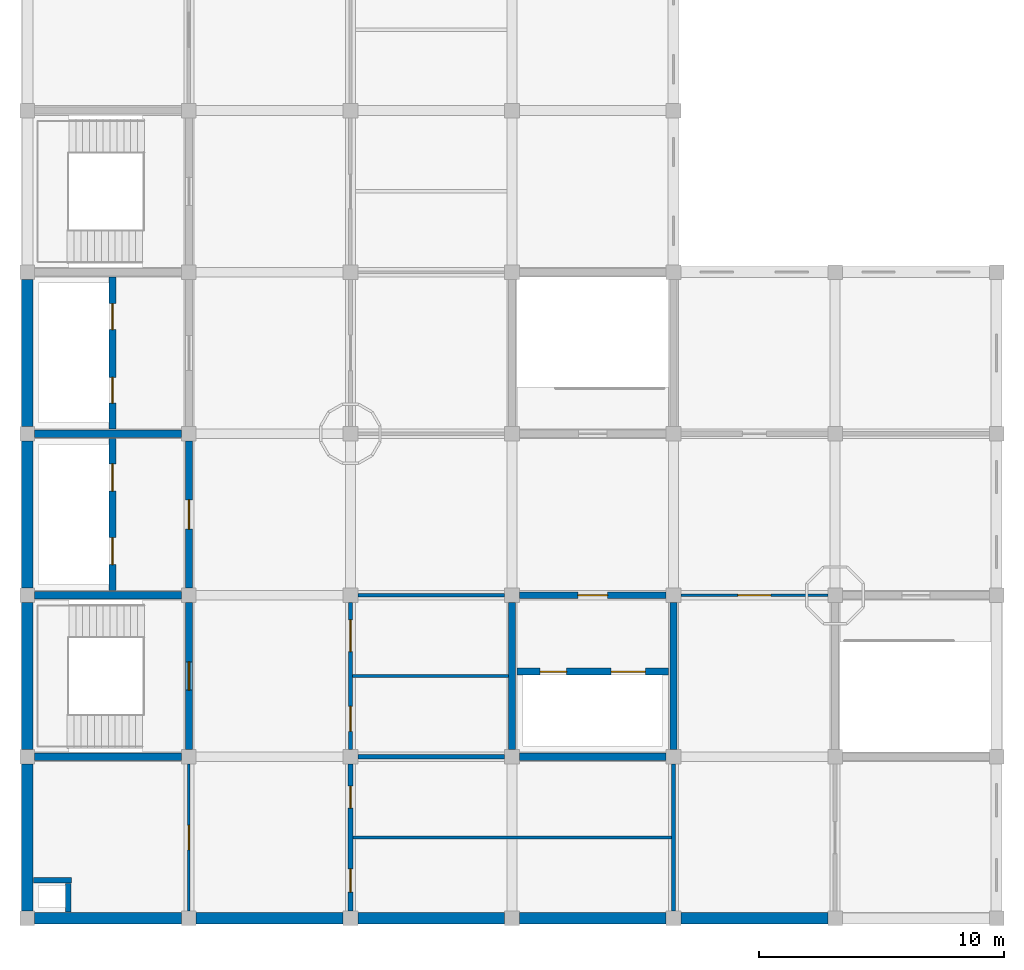
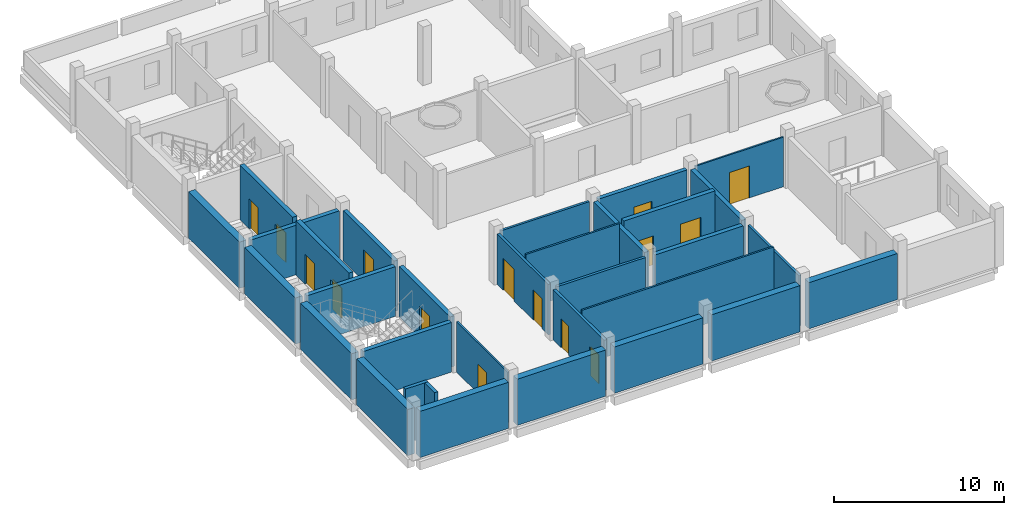
# One storey, part 2 of 6: 32 walls, 15 doors, 15 openings.
"""IFC4 building model written with IfcOpenShell, lengths in metres."""

from ifc_helpers import new_model, si_unit, direction, frame, frame_2d, origin, place, context, subcontext, project, spatial, rectangle, extrude, material, layer, layer_set, type_object, element, fill, save


model = new_model("IFC4")

# Units and contexts
model_context = context("Model", 3, precision=1e-05, world=origin(), true_north=direction((0.0, 1.0)))
body_context = subcontext(model_context, "Body", "Model", "MODEL_VIEW")
ifc_project = project(units=[si_unit("LENGTHUNIT", "METRE"), si_unit("AREAUNIT", "SQUARE_METRE"), si_unit("VOLUMEUNIT", "CUBIC_METRE"), si_unit("PLANEANGLEUNIT", "RADIAN"), si_unit("MASSUNIT", "GRAM", prefix="KILO")], contexts=[model_context])

# Site, building, storey
site_placement = place(None, origin())
site = spatial("IfcSite", under=ifc_project, at=site_placement, CompositionType="ELEMENT")
building_placement = place(site_placement, origin())
building = spatial("IfcBuilding", under=site, at=building_placement, Name="Rusizi Kubbe Research Institute", CompositionType="ELEMENT")
storey_placement = place(building_placement, frame((0.0, 0.0, 69.0)))
storey = spatial("IfcBuildingStorey", under=building, at=storey_placement, Name="L16", CompositionType="ELEMENT", Elevation=69.0)

# Walls
ifc_material_1 = material(Name="Concrete C40/50", Category="concrete")
ifc_layer_1 = layer(ifc_material_1, 0.294921875)
ifc_layer_set_1 = layer_set([ifc_layer_1], Name="Concrete C40/50")
wall_type_1 = type_object("IfcWallType", Name="CRW-03", PredefinedType="SHEAR", material=ifc_layer_set_1)
for number, where, z_axis, x_axis, name in (
    (1, (0.300048828125, 6.60009765625, 0.0), (0.0, 0.0, 1.0), (1.0, 0.0, 0.0), "Stair Core Shear Wall ST1 L16 S"),
    (2, (0.300048828125, 13.199951171875, 0.0), (0.0, 0.0, 1.0), (1.0, 0.0, 0.0), "Stair Core Shear Wall ST1 L16 N"),
):
    element("IfcWall", number, at=place(storey_placement, frame(where, z_axis=z_axis, x_axis=x_axis)), inside=storey, type_object=wall_type_1, Name=name, PredefinedType="SHEAR", context=body_context, shape_type="SweptSolid", body=[
        extrude(rectangle(XDim=6.0, YDim=0.294921875, at=frame_2d((3.0, 0.0))), origin(), (0.0, 0.0, 1.0), 3.56005859375),
    ])

# Wall, opening, door
wall_1_placement = place(storey_placement, frame((6.60009765625, 6.89990234375, 0.0), z_axis=(0.0, 0.0, 1.0), x_axis=(0.0, 1.0, 0.0)))
wall_1 = element("IfcWall", 3, at=wall_1_placement, inside=storey, type_object=wall_type_1, Name="Stair Core Shear Wall ST1 L16 E", PredefinedType="SHEAR", context=body_context, shape_type="SweptSolid", body=[
    extrude(rectangle(XDim=6.0, YDim=0.294921875, at=frame_2d((3.0, 0.0))), origin(), (0.0, 0.0, 1.0), 3.6201171875),
])
opening_1_placement = place(wall_1_placement, frame((2.425048828125, 0.0, 0.0)))
opening_1 = element("IfcOpeningElement", 4, at=opening_1_placement, cuts=wall_1, Name="Opening D-02", PredefinedType="OPENING", context=body_context, shape_type="SweptSolid", body=[
    extrude(rectangle(XDim=1.14990234375, YDim=2.199951171875, at=frame_2d((0.574951171875, 1.10009765625))), frame((0.0, 0.157470703125, 0.0), z_axis=(0.0, -1.0, 0.0), x_axis=(1.0, 0.0, 0.0)), (0.0, 0.0, 1.0), 0.31494140625),
])
ifc_material_2 = material(Name="Fire-Rated Steel Frame and Acoustic Timber Leaf", Category="wood")
door_type_1 = type_object("IfcDoorType", Name="ID-STAIR-115", OperationType="NOTDEFINED", PredefinedType="DOOR", material=ifc_material_2)
door_1_placement = place(opening_1_placement, origin())
door_1 = element("IfcDoor", 5, at=door_1_placement, inside=storey, type_object=door_type_1, Name="Exit Stair Door ST1 L16", OperationType="SINGLE_SWING_RIGHT", OverallHeight=2.199951171875, OverallWidth=1.14990234375, PredefinedType="DOOR", context=body_context, shape_type="SweptSolid", body=[
    extrude(rectangle(XDim=1.14990234375, YDim=2.199951171875, at=frame_2d((0.574951171875, 1.10009765625))), frame((0.0, 0.02490234375, 0.0), z_axis=(0.0, -1.0, 0.0), x_axis=(1.0, 0.0, 0.0)), (0.0, 0.0, 1.0), 0.050048828125),
])
fill(opening_1, door_1)

# Walls
for number, where, z_axis, x_axis, name in (
    (6, (0.300048828125, 19.800048828125, 0.0), (0.0, 0.0, 1.0), (1.0, 0.0, 0.0), "Lift Core Divider Wall (0,2-3) L16"),
    (7, (20.10009765625, 6.60009765625, 0.0), (0.0, 0.0, 1.0), (1.0, 0.0, 0.0), "Lab Lift Core Wall S (3,1) L16"),
):
    element("IfcWall", number, at=place(storey_placement, frame(where, z_axis=z_axis, x_axis=x_axis)), inside=storey, type_object=wall_type_1, Name=name, PredefinedType="SHEAR", context=body_context, shape_type="SweptSolid", body=[
        extrude(rectangle(XDim=6.0, YDim=0.294921875, at=frame_2d((3.0, 0.0))), origin(), (0.0, 0.0, 1.0), 3.56005859375),
    ])
for number, where, z_axis, x_axis, name in (
    (8, (19.800048828125, 6.89990234375, 0.0), (0.0, 0.0, 1.0), (0.0, 1.0, 0.0), "Lab Lift Core Wall W (3,1) L16"),
    (9, (26.39990234375, 6.89990234375, 0.0), (0.0, 0.0, 1.0), (0.0, 1.0, 0.0), "Lab Lift Core Wall E (3,1) L16"),
):
    element("IfcWall", number, at=place(storey_placement, frame(where, z_axis=z_axis, x_axis=x_axis)), inside=storey, type_object=wall_type_1, Name=name, PredefinedType="SHEAR", context=body_context, shape_type="SweptSolid", body=[
        extrude(rectangle(XDim=6.0, YDim=0.294921875, at=frame_2d((3.0, 0.0))), origin(), (0.0, 0.0, 1.0), 3.6201171875),
    ])

# Wall, openings, doors
wall_2_placement = place(storey_placement, frame((3.47998046875, 13.39990234375, 0.0), z_axis=(0.0, 0.0, 1.0), x_axis=(0.0, 1.0, 0.0)))
wall_2 = element("IfcWall", 10, at=wall_2_placement, inside=storey, type_object=wall_type_1, Name="Firefighting Lift Shaft Front Wall L16", PredefinedType="SHEAR", context=body_context, shape_type="SweptSolid", body=[
    extrude(rectangle(XDim=6.2001953125, YDim=0.294921875, at=frame_2d((3.10009765625, 0.0))), origin(), (0.0, 0.0, 1.0), 3.919921875),
])
opening_2_placement = place(wall_2_placement, frame((1.050048828125, 0.0, 0.0)))
opening_2 = element("IfcOpeningElement", 11, at=opening_2_placement, cuts=wall_2, Name="Opening LD-01", PredefinedType="OPENING", context=body_context, shape_type="SweptSolid", body=[
    extrude(rectangle(XDim=1.10009765625, YDim=2.14990234375, at=frame_2d((0.550048828125, 1.074951171875))), frame((0.0, 0.157470703125, 0.0), z_axis=(0.0, -1.0, 0.0), x_axis=(1.0, 0.0, 0.0)), (0.0, 0.0, 1.0), 0.31494140625),
])
opening_3_placement = place(wall_2_placement, frame((4.050048828125, 0.0, 0.0)))
opening_3 = element("IfcOpeningElement", 12, at=opening_3_placement, cuts=wall_2, Name="Opening LD-02", PredefinedType="OPENING", context=body_context, shape_type="SweptSolid", body=[
    extrude(rectangle(XDim=1.1201171875, YDim=2.14990234375, at=frame_2d((0.56005859375, 1.074951171875))), frame((0.0, 0.157470703125, 0.0), z_axis=(0.0, -1.0, 0.0), x_axis=(1.0, 0.0, 0.0)), (0.0, 0.0, 1.0), 0.31494140625),
])
ifc_material_3 = material(Name="Brushed Stainless Steel Sliding Door", Category="steel")
door_type_2 = type_object("IfcDoorType", Name="LD-01", OperationType="DOUBLE_DOOR_SLIDING", PredefinedType="USERDEFINED", material=ifc_material_3)
door_2_placement = place(opening_2_placement, origin())
door_2 = element("IfcDoor", 13, at=door_2_placement, inside=storey, type_object=door_type_2, Name="Lift Landing Sliding Door FL1 L16", ObjectType="SLIDING DOOR", OperationType="DOUBLE_DOOR_SLIDING", OverallHeight=2.14990234375, OverallWidth=1.10009765625, PredefinedType="USERDEFINED", context=body_context, shape_type="SweptSolid", body=[
    extrude(rectangle(XDim=1.10009765625, YDim=2.14990234375, at=frame_2d((0.550048828125, 1.074951171875))), frame((0.0, 0.02490234375, 0.0), z_axis=(0.0, -1.0, 0.0), x_axis=(1.0, 0.0, 0.0)), (0.0, 0.0, 1.0), 0.050048828125),
])
fill(opening_2, door_2)
ifc_material_4 = material(Name="Brushed Stainless Steel Sliding Door", Category="steel")
door_type_3 = type_object("IfcDoorType", Name="LD-02", OperationType="DOUBLE_DOOR_SLIDING", PredefinedType="USERDEFINED", material=ifc_material_4)
door_3_placement = place(opening_3_placement, origin())
door_3 = element("IfcDoor", 14, at=door_3_placement, inside=storey, type_object=door_type_3, Name="Lift Landing Sliding Door FL2 L16", ObjectType="SLIDING DOOR", OperationType="DOUBLE_DOOR_SLIDING", OverallHeight=2.14990234375, OverallWidth=1.1201171875, PredefinedType="USERDEFINED", context=body_context, shape_type="SweptSolid", body=[
    extrude(rectangle(XDim=1.1201171875, YDim=2.14990234375, at=frame_2d((0.56005859375, 1.074951171875))), frame((0.0, 0.02490234375, 0.0), z_axis=(0.0, -1.0, 0.0), x_axis=(1.0, 0.0, 0.0)), (0.0, 0.0, 1.0), 0.050048828125),
])
fill(opening_3, door_3)

wall_3_placement = place(storey_placement, frame((3.47998046875, 20.0, 0.0), z_axis=(0.0, 0.0, 1.0), x_axis=(0.0, 1.0, 0.0)))
wall_3 = element("IfcWall", 15, at=wall_3_placement, inside=storey, type_object=wall_type_1, Name="Passenger Lift Shaft Front Wall L16", PredefinedType="SHEAR", context=body_context, shape_type="SweptSolid", body=[
    extrude(rectangle(XDim=6.199951171875, YDim=0.294921875, at=frame_2d((3.10009765625, 0.0))), origin(), (0.0, 0.0, 1.0), 3.919921875),
])
opening_4_placement = place(wall_3_placement, frame((1.050048828125, 0.0, 0.0)))
opening_4 = element("IfcOpeningElement", 16, at=opening_4_placement, cuts=wall_3, Name="Opening LD-03", PredefinedType="OPENING", context=body_context, shape_type="SweptSolid", body=[
    extrude(rectangle(XDim=1.050048828125, YDim=2.14990234375, at=frame_2d((0.52490234375, 1.074951171875))), frame((0.0, 0.157470703125, 0.0), z_axis=(0.0, -1.0, 0.0), x_axis=(1.0, 0.0, 0.0)), (0.0, 0.0, 1.0), 0.31494140625),
])
opening_5_placement = place(wall_3_placement, frame((4.050048828125, 0.0, 0.0)))
opening_5 = element("IfcOpeningElement", 17, at=opening_5_placement, cuts=wall_3, Name="Opening LD-04", PredefinedType="OPENING", context=body_context, shape_type="SweptSolid", body=[
    extrude(rectangle(XDim=1.06005859375, YDim=2.14990234375, at=frame_2d((0.530029296875, 1.074951171875))), frame((0.0, 0.157470703125, 0.0), z_axis=(0.0, -1.0, 0.0), x_axis=(1.0, 0.0, 0.0)), (0.0, 0.0, 1.0), 0.31494140625),
])
ifc_material_5 = material(Name="Brushed Stainless Steel Sliding Door", Category="steel")
door_type_4 = type_object("IfcDoorType", Name="LD-03", OperationType="DOUBLE_DOOR_SLIDING", PredefinedType="USERDEFINED", material=ifc_material_5)
door_4_placement = place(opening_4_placement, origin())
door_4 = element("IfcDoor", 18, at=door_4_placement, inside=storey, type_object=door_type_4, Name="Lift Landing Sliding Door LP1 L16", ObjectType="SLIDING DOOR", OperationType="DOUBLE_DOOR_SLIDING", OverallHeight=2.14990234375, OverallWidth=1.050048828125, PredefinedType="USERDEFINED", context=body_context, shape_type="SweptSolid", body=[
    extrude(rectangle(XDim=1.050048828125, YDim=2.14990234375, at=frame_2d((0.52490234375, 1.074951171875))), frame((0.0, 0.02490234375, 0.0), z_axis=(0.0, -1.0, 0.0), x_axis=(1.0, 0.0, 0.0)), (0.0, 0.0, 1.0), 0.050048828125),
])
fill(opening_4, door_4)
ifc_material_6 = material(Name="Brushed Stainless Steel Sliding Door", Category="steel")
door_type_5 = type_object("IfcDoorType", Name="LD-04", OperationType="DOUBLE_DOOR_SLIDING", PredefinedType="USERDEFINED", material=ifc_material_6)
door_5_placement = place(opening_5_placement, origin())
door_5 = element("IfcDoor", 19, at=door_5_placement, inside=storey, type_object=door_type_5, Name="Lift Landing Sliding Door LP2 L16", ObjectType="SLIDING DOOR", OperationType="DOUBLE_DOOR_SLIDING", OverallHeight=2.14990234375, OverallWidth=1.06005859375, PredefinedType="USERDEFINED", context=body_context, shape_type="SweptSolid", body=[
    extrude(rectangle(XDim=1.06005859375, YDim=2.14990234375, at=frame_2d((0.530029296875, 1.074951171875))), frame((0.0, 0.02490234375, 0.0), z_axis=(0.0, -1.0, 0.0), x_axis=(1.0, 0.0, 0.0)), (0.0, 0.0, 1.0), 0.050048828125),
])
fill(opening_5, door_5)

wall_4_placement = place(storey_placement, frame((20.0, 10.080078125, 0.0), z_axis=(0.0, 0.0, 1.0), x_axis=(1.0, 0.0, 0.0)))
wall_4 = element("IfcWall", 20, at=wall_4_placement, inside=storey, type_object=wall_type_1, Name="Goods Lift Shaft Front Wall L16", PredefinedType="SHEAR", context=body_context, shape_type="SweptSolid", body=[
    extrude(rectangle(XDim=6.199951171875, YDim=0.294921875, at=frame_2d((3.10009765625, 0.0))), origin(), (0.0, 0.0, 1.0), 3.919921875),
])
opening_6_placement = place(wall_4_placement, frame((0.949951171875, 0.0, 0.0)))
opening_6 = element("IfcOpeningElement", 21, at=opening_6_placement, cuts=wall_4, Name="Opening LD-05", PredefinedType="OPENING", context=body_context, shape_type="SweptSolid", body=[
    extrude(rectangle(XDim=1.080078125, YDim=2.14990234375, at=frame_2d((0.5400390625, 1.074951171875))), frame((0.0, 0.157470703125, 0.0), z_axis=(0.0, -1.0, 0.0), x_axis=(1.0, 0.0, 0.0)), (0.0, 0.0, 1.0), 0.31494140625),
])
opening_7_placement = place(wall_4_placement, frame((3.85009765625, 0.0, 0.0)))
opening_7 = element("IfcOpeningElement", 22, at=opening_7_placement, cuts=wall_4, Name="Opening LD-06", PredefinedType="OPENING", context=body_context, shape_type="SweptSolid", body=[
    extrude(rectangle(XDim=1.39990234375, YDim=2.35009765625, at=frame_2d((0.699951171875, 1.175048828125))), frame((0.0, 0.157470703125, 0.0), z_axis=(0.0, -1.0, 0.0), x_axis=(1.0, 0.0, 0.0)), (0.0, 0.0, 1.0), 0.31494140625),
])
ifc_material_7 = material(Name="Brushed Stainless Steel Sliding Door", Category="steel")
door_type_6 = type_object("IfcDoorType", Name="LD-05", OperationType="DOUBLE_DOOR_SLIDING", PredefinedType="USERDEFINED", material=ifc_material_7)
door_6_placement = place(opening_6_placement, origin())
door_6 = element("IfcDoor", 23, at=door_6_placement, inside=storey, type_object=door_type_6, Name="Lift Landing Sliding Door LP3 L16", ObjectType="SLIDING DOOR", OperationType="DOUBLE_DOOR_SLIDING", OverallHeight=2.14990234375, OverallWidth=1.080078125, PredefinedType="USERDEFINED", context=body_context, shape_type="SweptSolid", body=[
    extrude(rectangle(XDim=1.080078125, YDim=2.14990234375, at=frame_2d((0.5400390625, 1.074951171875))), frame((0.0, 0.02490234375, 0.0), z_axis=(0.0, -1.0, 0.0), x_axis=(1.0, 0.0, 0.0)), (0.0, 0.0, 1.0), 0.050048828125),
])
fill(opening_6, door_6)
ifc_material_8 = material(Name="Brushed Stainless Steel Sliding Door", Category="steel")
door_type_7 = type_object("IfcDoorType", Name="LD-06", OperationType="DOUBLE_DOOR_SLIDING", PredefinedType="USERDEFINED", material=ifc_material_8)
door_7_placement = place(opening_7_placement, origin())
door_7 = element("IfcDoor", 24, at=door_7_placement, inside=storey, type_object=door_type_7, Name="Lift Landing Sliding Door LG1 L16", ObjectType="SLIDING DOOR", OperationType="DOUBLE_DOOR_SLIDING", OverallHeight=2.35009765625, OverallWidth=1.39990234375, PredefinedType="USERDEFINED", context=body_context, shape_type="SweptSolid", body=[
    extrude(rectangle(XDim=1.39990234375, YDim=2.35009765625, at=frame_2d((0.699951171875, 1.175048828125))), frame((0.0, 0.02490234375, 0.0), z_axis=(0.0, -1.0, 0.0), x_axis=(1.0, 0.0, 0.0)), (0.0, 0.0, 1.0), 0.050048828125),
])
fill(opening_7, door_7)

# Walls
ifc_material_9 = material(Name="Concrete Blockwork Fire Partition", Category="masonry")
ifc_layer_2 = layer(ifc_material_9, 0.22509765625)
ifc_layer_set_2 = layer_set([ifc_layer_2], Name="Concrete Blockwork Fire Partition")
wall_type_2 = type_object("IfcWallType", Name="IW-01", PredefinedType="PARTITIONING", material=ifc_layer_set_2)
wall_5_placement = place(storey_placement, frame((1.679931640625, 0.260009765625, 0.0), z_axis=(0.0, 0.0, 1.0), x_axis=(0.0, 1.0, 0.0)))
element("IfcWall", 25, at=wall_5_placement, inside=storey, type_object=wall_type_2, Name="Riser Shaft Wall E L16", PredefinedType="PARTITIONING", context=body_context, shape_type="SweptSolid", body=[
    extrude(rectangle(XDim=1.169921875, YDim=0.22509765625, at=frame_2d((0.5849609375, 0.0))), origin(), (0.0, 0.0, 1.0), 3.919921875),
])
wall_6_placement = place(storey_placement, frame((0.260009765625, 1.550048828125, 0.0), z_axis=(0.0, 0.0, 1.0), x_axis=(1.0, 0.0, 0.0)))
element("IfcWall", 26, at=wall_6_placement, inside=storey, type_object=wall_type_2, Name="Riser Shaft Wall N L16", PredefinedType="PARTITIONING", context=body_context, shape_type="SweptSolid", body=[
    extrude(rectangle(XDim=1.5400390625, YDim=0.22509765625, at=frame_2d((0.77001953125, 0.0))), origin(), (0.0, 0.0, 1.0), 3.919921875),
])

# Wall, openings, doors
ifc_material_10 = material(Name="Insulated Cleanroom Partition", Category="masonry")
ifc_layer_3 = layer(ifc_material_10, 0.195068359375)
ifc_layer_set_3 = layer_set([ifc_layer_3], Name="Insulated Cleanroom Partition")
wall_type_3 = type_object("IfcWallType", Name="IW-02", PredefinedType="PARTITIONING", material=ifc_layer_set_3)
wall_7_placement = place(storey_placement, frame((13.199951171875, 0.300048828125, 0.0), z_axis=(0.0, 0.0, 1.0), x_axis=(0.0, 1.0, 0.0)))
wall_7 = element("IfcWall", 27, at=wall_7_placement, inside=storey, type_object=wall_type_3, Name="Sanitary Core West Corridor Wall L16", PredefinedType="PARTITIONING", context=body_context, shape_type="SweptSolid", body=[
    extrude(rectangle(XDim=6.0, YDim=0.195068359375, at=frame_2d((3.0, 0.0))), origin(), (0.0, 0.0, 1.0), 3.6201171875),
])
opening_8_placement = place(wall_7_placement, frame((0.77490234375, 0.0, 0.0)))
opening_8 = element("IfcOpeningElement", 28, at=opening_8_placement, cuts=wall_7, Name="Opening D-06", PredefinedType="OPENING", context=body_context, shape_type="SweptSolid", body=[
    extrude(rectangle(XDim=0.949951171875, YDim=2.10009765625, at=frame_2d((0.47509765625, 1.050048828125))), frame((0.0, 0.107421875, 0.0), z_axis=(0.0, -1.0, 0.0), x_axis=(1.0, 0.0, 0.0)), (0.0, 0.0, 1.0), 0.215087890625),
])
opening_9_placement = place(wall_7_placement, frame((4.199951171875, 0.0, 0.0)))
opening_9 = element("IfcOpeningElement", 29, at=opening_9_placement, cuts=wall_7, Name="Opening D-05", PredefinedType="OPENING", context=body_context, shape_type="SweptSolid", body=[
    extrude(rectangle(XDim=0.89990234375, YDim=2.10009765625, at=frame_2d((0.449951171875, 1.050048828125))), frame((0.0, 0.107421875, 0.0), z_axis=(0.0, -1.0, 0.0), x_axis=(1.0, 0.0, 0.0)), (0.0, 0.0, 1.0), 0.215087890625),
])
ifc_material_11 = material(Name="Fire-Rated Steel Frame and Acoustic Timber Leaf", Category="wood")
door_type_8 = type_object("IfcDoorType", Name="ID-WC-900", OperationType="NOTDEFINED", PredefinedType="DOOR", material=ifc_material_11)
door_8_placement = place(opening_9_placement, origin())
door_8 = element("IfcDoor", 30, at=door_8_placement, inside=storey, type_object=door_type_8, Name="Door to Female Toilet Room (L16-WC-F)", OperationType="SINGLE_SWING_LEFT", OverallHeight=2.10009765625, OverallWidth=0.89990234375, PredefinedType="DOOR", context=body_context, shape_type="SweptSolid", body=[
    extrude(rectangle(XDim=0.89990234375, YDim=2.10009765625, at=frame_2d((0.449951171875, 1.050048828125))), frame((0.0, 0.02490234375, 0.0), z_axis=(0.0, -1.0, 0.0), x_axis=(1.0, 0.0, 0.0)), (0.0, 0.0, 1.0), 0.050048828125),
])
fill(opening_9, door_8)
ifc_material_12 = material(Name="Fire-Rated Steel Frame and Acoustic Timber Leaf", Category="wood")
door_type_9 = type_object("IfcDoorType", Name="ID-WC-950", OperationType="NOTDEFINED", PredefinedType="DOOR", material=ifc_material_12)
door_9_placement = place(opening_8_placement, origin())
door_9 = element("IfcDoor", 31, at=door_9_placement, inside=storey, type_object=door_type_9, Name="Door to Male Toilet Room (L16-WC-M)", OperationType="SINGLE_SWING_RIGHT", OverallHeight=2.10009765625, OverallWidth=0.949951171875, PredefinedType="DOOR", context=body_context, shape_type="SweptSolid", body=[
    extrude(rectangle(XDim=0.949951171875, YDim=2.10009765625, at=frame_2d((0.47509765625, 1.050048828125))), frame((0.0, 0.02490234375, 0.0), z_axis=(0.0, -1.0, 0.0), x_axis=(1.0, 0.0, 0.0)), (0.0, 0.0, 1.0), 0.050048828125),
])
fill(opening_8, door_9)

# Wall
ifc_material_13 = material(Name="Acoustic Laboratory Partition", Category="masonry")
ifc_layer_4 = layer(ifc_material_13, 0.175048828125)
ifc_layer_set_4 = layer_set([ifc_layer_4], Name="Acoustic Laboratory Partition")
wall_type_4 = type_object("IfcWallType", Name="IW-03", PredefinedType="PARTITIONING", material=ifc_layer_set_4)
wall_8_placement = place(storey_placement, frame((13.5, 6.60009765625, 0.0), z_axis=(0.0, 0.0, 1.0), x_axis=(1.0, 0.0, 0.0)))
element("IfcWall", 32, at=wall_8_placement, inside=storey, type_object=wall_type_4, Name="Sanitary Core North Divider Wall L16", PredefinedType="PARTITIONING", context=body_context, shape_type="SweptSolid", body=[
    extrude(rectangle(XDim=6.0, YDim=0.175048828125, at=frame_2d((3.0, 0.0))), origin(), (0.0, 0.0, 1.0), 3.56005859375),
])

# Wall, openings, doors
wall_9_placement = place(storey_placement, frame((13.199951171875, 6.89990234375, 0.0), z_axis=(0.0, 0.0, 1.0), x_axis=(0.0, 1.0, 0.0)))
wall_9 = element("IfcWall", 33, at=wall_9_placement, inside=storey, type_object=wall_type_4, Name="Accessible WC and Store West Wall L16", PredefinedType="PARTITIONING", context=body_context, shape_type="SweptSolid", body=[
    extrude(rectangle(XDim=6.0, YDim=0.175048828125, at=frame_2d((3.0, 0.0))), origin(), (0.0, 0.0, 1.0), 3.6201171875),
])
opening_10_placement = place(wall_9_placement, frame((0.739990234375, 0.0, 0.0)))
opening_10 = element("IfcOpeningElement", 34, at=opening_10_placement, cuts=wall_9, Name="Opening D-07", PredefinedType="OPENING", context=body_context, shape_type="SweptSolid", body=[
    extrude(rectangle(XDim=1.02001953125, YDim=2.14990234375, at=frame_2d((0.510009765625, 1.074951171875))), frame((0.0, 0.097412109375, 0.0), z_axis=(0.0, -1.0, 0.0), x_axis=(1.0, 0.0, 0.0)), (0.0, 0.0, 1.0), 0.195068359375),
])
opening_11_placement = place(wall_9_placement, frame((4.0, 0.0, 0.0)))
opening_11 = element("IfcOpeningElement", 35, at=opening_11_placement, cuts=wall_9, Name="Opening D-14", PredefinedType="OPENING", context=body_context, shape_type="SweptSolid", body=[
    extrude(rectangle(XDim=1.300048828125, YDim=2.300048828125, at=frame_2d((0.64990234375, 1.14990234375))), frame((0.0, 0.097412109375, 0.0), z_axis=(0.0, -1.0, 0.0), x_axis=(1.0, 0.0, 0.0)), (0.0, 0.0, 1.0), 0.195068359375),
])
ifc_material_14 = material(Name="Fire-Rated Steel Frame and Acoustic Timber Leaf", Category="wood")
door_type_10 = type_object("IfcDoorType", Name="ID-LAB-130", OperationType="NOTDEFINED", PredefinedType="DOOR", material=ifc_material_14)
door_10_placement = place(opening_11_placement, origin())
door_10 = element("IfcDoor", 36, at=door_10_placement, inside=storey, type_object=door_type_10, Name="Door to Laboratory Reagent Store (L16-STR-01)", OperationType="SINGLE_SWING_RIGHT", OverallHeight=2.300048828125, OverallWidth=1.300048828125, PredefinedType="DOOR", context=body_context, shape_type="SweptSolid", body=[
    extrude(rectangle(XDim=1.300048828125, YDim=2.300048828125, at=frame_2d((0.64990234375, 1.14990234375))), frame((0.0, 0.02490234375, 0.0), z_axis=(0.0, -1.0, 0.0), x_axis=(1.0, 0.0, 0.0)), (0.0, 0.0, 1.0), 0.050048828125),
])
fill(opening_11, door_10)
ifc_material_15 = material(Name="Fire-Rated Steel Frame and Acoustic Timber Leaf", Category="wood")
door_type_11 = type_object("IfcDoorType", Name="ID-WC-ACC", OperationType="NOTDEFINED", PredefinedType="DOOR", material=ifc_material_15)
door_11_placement = place(opening_10_placement, origin())
door_11 = element("IfcDoor", 37, at=door_11_placement, inside=storey, type_object=door_type_11, Name="Door to Accessible Toilet Room (L16-WC-ACC)", OperationType="SINGLE_SWING_LEFT", OverallHeight=2.14990234375, OverallWidth=1.02001953125, PredefinedType="DOOR", context=body_context, shape_type="SweptSolid", body=[
    extrude(rectangle(XDim=1.02001953125, YDim=2.14990234375, at=frame_2d((0.510009765625, 1.074951171875))), frame((0.0, 0.02490234375, 0.0), z_axis=(0.0, -1.0, 0.0), x_axis=(1.0, 0.0, 0.0)), (0.0, 0.0, 1.0), 0.050048828125),
])
fill(opening_10, door_11)

# Walls
ifc_material_16 = material(Name="Fire-Rated Corridor Partition", Category="masonry")
ifc_layer_5 = layer(ifc_material_16, 0.155029296875)
ifc_layer_set_5 = layer_set([ifc_layer_5], Name="Fire-Rated Corridor Partition")
wall_type_5 = type_object("IfcWallType", Name="IW-04", PredefinedType="PARTITIONING", material=ifc_layer_set_5)
wall_10_placement = place(storey_placement, frame((26.39990234375, 0.300048828125, 0.0), z_axis=(0.0, 0.0, 1.0), x_axis=(0.0, 1.0, 0.0)))
element("IfcWall", 38, at=wall_10_placement, inside=storey, type_object=wall_type_5, Name="Sanitary Core East Enclosing Wall L16", PredefinedType="PARTITIONING", context=body_context, shape_type="SweptSolid", body=[
    extrude(rectangle(XDim=6.0, YDim=0.155029296875, at=frame_2d((3.0, 0.0))), origin(), (0.0, 0.0, 1.0), 3.6201171875),
])
wall_11_placement = place(storey_placement, frame((13.5, 13.199951171875, 0.0), z_axis=(0.0, 0.0, 1.0), x_axis=(1.0, 0.0, 0.0)))
element("IfcWall", 39, at=wall_11_placement, inside=storey, type_object=wall_type_5, Name="Reagent Store North Corridor Wall L16", PredefinedType="PARTITIONING", context=body_context, shape_type="SweptSolid", body=[
    extrude(rectangle(XDim=6.0, YDim=0.155029296875, at=frame_2d((3.0, 0.0))), origin(), (0.0, 0.0, 1.0), 3.56005859375),
])
ifc_material_17 = material(Name="Sanitary Wet-Wall Partition", Category="masonry")
ifc_layer_6 = layer(ifc_material_17, 0.125)
ifc_layer_set_6 = layer_set([ifc_layer_6], Name="Sanitary Wet-Wall Partition")
wall_type_6 = type_object("IfcWallType", Name="IW-06", PredefinedType="PARTITIONING", material=ifc_layer_set_6)
wall_12_placement = place(storey_placement, frame((13.302490234375, 3.300048828125, 0.0), z_axis=(0.0, 0.0, 1.0), x_axis=(1.0, 0.0, 0.0)))
element("IfcWall", 40, at=wall_12_placement, inside=storey, type_object=wall_type_6, Name="Sanitary Divider Wall L16-1", PredefinedType="PARTITIONING", context=body_context, shape_type="SweptSolid", body=[
    extrude(rectangle(XDim=13.014892578125, YDim=0.125, at=frame_2d((6.50732421875, 0.0))), origin(), (0.0, 0.0, 1.0), 3.919921875),
])
wall_13_placement = place(storey_placement, frame((13.29248046875, 9.89990234375, 0.0), z_axis=(0.0, 0.0, 1.0), x_axis=(1.0, 0.0, 0.0)))
element("IfcWall", 41, at=wall_13_placement, inside=storey, type_object=wall_type_6, Name="Sanitary Divider Wall L16-2", PredefinedType="PARTITIONING", context=body_context, shape_type="SweptSolid", body=[
    extrude(rectangle(XDim=6.35498046875, YDim=0.125, at=frame_2d((3.177490234375, 0.0))), origin(), (0.0, 0.0, 1.0), 3.919921875),
])

# Wall, opening, door
ifc_material_18 = material(Name="Sub-Suite Fire Partition", Category="masonry")
ifc_layer_7 = layer(ifc_material_18, 0.110107421875)
ifc_layer_set_7 = layer_set([ifc_layer_7], Name="Sub-Suite Fire Partition")
wall_type_7 = type_object("IfcWallType", Name="IW-07", PredefinedType="PARTITIONING", material=ifc_layer_set_7)
wall_14_placement = place(storey_placement, frame((6.60009765625, 0.300048828125, 0.0), z_axis=(0.0, 0.0, 1.0), x_axis=(0.0, 1.0, 0.0)))
wall_14 = element("IfcWall", 42, at=wall_14_placement, inside=storey, type_object=wall_type_7, Name="Interior Partition Wall L16 V1-0", PredefinedType="PARTITIONING", context=body_context, shape_type="SweptSolid", body=[
    extrude(rectangle(XDim=6.0, YDim=0.110107421875, at=frame_2d((3.0, 0.0))), origin(), (0.0, 0.0, 1.0), 3.6201171875),
])
opening_12_placement = place(wall_14_placement, frame((2.5, 0.0, 0.0)))
opening_12 = element("IfcOpeningElement", 43, at=opening_12_placement, cuts=wall_14, Name="Opening D-04", PredefinedType="OPENING", context=body_context, shape_type="SweptSolid", body=[
    extrude(rectangle(XDim=1.0, YDim=2.10009765625, at=frame_2d((0.5, 1.050048828125))), frame((0.0, 0.06494140625, 0.0), z_axis=(0.0, -1.0, 0.0), x_axis=(1.0, 0.0, 0.0)), (0.0, 0.0, 1.0), 0.130126953125),
])
ifc_material_19 = material(Name="Fire-Rated Steel Frame and Acoustic Timber Leaf", Category="wood")
door_type_12 = type_object("IfcDoorType", Name="ID-MEP-100", OperationType="NOTDEFINED", PredefinedType="DOOR", material=ifc_material_19)
door_12_placement = place(opening_12_placement, origin())
door_12 = element("IfcDoor", 44, at=door_12_placement, inside=storey, type_object=door_type_12, Name="Door to Service Spine Utility Riser Room (L16-MEP-01)", OperationType="SINGLE_SWING_RIGHT", OverallHeight=2.10009765625, OverallWidth=1.0, PredefinedType="DOOR", context=body_context, shape_type="SweptSolid", body=[
    extrude(rectangle(XDim=1.0, YDim=2.10009765625, at=frame_2d((0.5, 1.050048828125))), frame((0.0, 0.02490234375, 0.0), z_axis=(0.0, -1.0, 0.0), x_axis=(1.0, 0.0, 0.0)), (0.0, 0.0, 1.0), 0.050048828125),
])
fill(opening_12, door_12)

wall_15_placement = place(storey_placement, frame((26.699951171875, 13.199951171875, 0.0), z_axis=(0.0, 0.0, 1.0), x_axis=(1.0, 0.0, 0.0)))
wall_15 = element("IfcWall", 45, at=wall_15_placement, inside=storey, type_object=wall_type_7, Name="Interior Partition Wall L16 H4-2", PredefinedType="PARTITIONING", context=body_context, shape_type="SweptSolid", body=[
    extrude(rectangle(XDim=6.0, YDim=0.110107421875, at=frame_2d((3.0, 0.0))), origin(), (0.0, 0.0, 1.0), 3.56005859375),
])
opening_13_placement = place(wall_15_placement, frame((2.324951171875, 0.0, 0.0)))
opening_13 = element("IfcOpeningElement", 46, at=opening_13_placement, cuts=wall_15, Name="Opening D-13", PredefinedType="OPENING", context=body_context, shape_type="SweptSolid", body=[
    extrude(rectangle(XDim=1.35009765625, YDim=2.300048828125, at=frame_2d((0.675048828125, 1.14990234375))), frame((0.0, 0.06494140625, 0.0), z_axis=(0.0, -1.0, 0.0), x_axis=(1.0, 0.0, 0.0)), (0.0, 0.0, 1.0), 0.130126953125),
])
ifc_material_20 = material(Name="Fire-Rated Steel Frame and Acoustic Timber Leaf", Category="wood")
door_type_13 = type_object("IfcDoorType", Name="ID-LAB-135", OperationType="NOTDEFINED", PredefinedType="DOOR", material=ifc_material_20)
door_13_placement = place(opening_13_placement, origin())
door_13 = element("IfcDoor", 47, at=door_13_placement, inside=storey, type_object=door_type_13, Name="Door to Catalysis Wet Laboratory (L16-EWS-01)", OperationType="SINGLE_SWING_LEFT", OverallHeight=2.300048828125, OverallWidth=1.35009765625, PredefinedType="DOOR", context=body_context, shape_type="SweptSolid", body=[
    extrude(rectangle(XDim=1.35009765625, YDim=2.300048828125, at=frame_2d((0.675048828125, 1.14990234375))), frame((0.0, 0.02490234375, 0.0), z_axis=(0.0, -1.0, 0.0), x_axis=(1.0, 0.0, 0.0)), (0.0, 0.0, 1.0), 0.050048828125),
])
fill(opening_13, door_13)

# Walls
ifc_material_21 = material(Name="Concrete C40/50", Category="concrete")
ifc_layer_8 = layer(ifc_material_21, 0.4599609375)
ifc_layer_set_8 = layer_set([ifc_layer_8], Name="Concrete C40/50")
wall_type_8 = type_object("IfcWallType", Name="PW-02", PredefinedType="SOLIDWALL", material=ifc_layer_set_8)
for number, where, z_axis, x_axis, name in (
    (48, (0.300048828125, 0.0, 0.0), (0.0, 0.0, 1.0), (1.0, 0.0, 0.0), "Blind Party Wall L16 H0-0"),
    (49, (0.0, 0.300048828125, 0.0), (0.0, 0.0, 1.0), (0.0, 1.0, 0.0), "Blind Party Wall L16 V0-0"),
    (50, (0.0, 6.89990234375, 0.0), (0.0, 0.0, 1.0), (0.0, 1.0, 0.0), "Blind Party Wall L16 V0-1"),
    (51, (0.0, 13.5, 0.0), (0.0, 0.0, 1.0), (0.0, 1.0, 0.0), "Blind Party Wall L16 V0-2"),
    (52, (0.0, 20.10009765625, 0.0), (0.0, 0.0, 1.0), (0.0, 1.0, 0.0), "Blind Party Wall L16 V0-3"),
    (53, (6.89990234375, 0.0, 0.0), (0.0, 0.0, 1.0), (1.0, 0.0, 0.0), "Blind Party Wall L16 H1-0"),
    (54, (13.5, 0.0, 0.0), (0.0, 0.0, 1.0), (1.0, 0.0, 0.0), "Blind Party Wall L16 H2-0"),
    (55, (20.10009765625, 0.0, 0.0), (0.0, 0.0, 1.0), (1.0, 0.0, 0.0), "Blind Party Wall L16 H3-0"),
    (56, (26.699951171875, 0.0, 0.0), (0.0, 0.0, 1.0), (1.0, 0.0, 0.0), "Blind Party Wall L16 H4-0"),
):
    element("IfcWall", number, at=place(storey_placement, frame(where, z_axis=z_axis, x_axis=x_axis)), inside=storey, type_object=wall_type_8, Name=name, PredefinedType="SOLIDWALL", context=body_context, shape_type="SweptSolid", body=[
        extrude(rectangle(XDim=6.0, YDim=0.4599609375, at=frame_2d((3.0, 0.0))), origin(), (0.0, 0.0, 1.0), 3.320068359375),
    ])

# Wall, opening, door
ifc_material_22 = material(Name="Concrete C40/50", Category="concrete")
ifc_layer_9 = layer(ifc_material_22, 0.27490234375)
ifc_layer_set_9 = layer_set([ifc_layer_9], Name="Concrete C40/50")
wall_type_9 = type_object("IfcWallType", Name="SHW-01", PredefinedType="SHEAR", material=ifc_layer_set_9)
wall_16_placement = place(storey_placement, frame((6.60009765625, 13.5, 0.0), z_axis=(0.0, 0.0, 1.0), x_axis=(0.0, 1.0, 0.0)))
wall_16 = element("IfcWall", 57, at=wall_16_placement, inside=storey, type_object=wall_type_9, Name="Firefighting Lobby Wall L16", PredefinedType="SHEAR", context=body_context, shape_type="SweptSolid", body=[
    extrude(rectangle(XDim=6.0, YDim=0.27490234375, at=frame_2d((3.0, 0.0))), origin(), (0.0, 0.0, 1.0), 3.6201171875),
])
opening_14_placement = place(wall_16_placement, frame((2.39990234375, 0.0, 0.0)))
opening_14 = element("IfcOpeningElement", 58, at=opening_14_placement, cuts=wall_16, Name="Opening D-03", PredefinedType="OPENING", context=body_context, shape_type="SweptSolid", body=[
    extrude(rectangle(XDim=1.199951171875, YDim=2.25, at=frame_2d((0.60009765625, 1.125))), frame((0.0, 0.1474609375, 0.0), z_axis=(0.0, -1.0, 0.0), x_axis=(1.0, 0.0, 0.0)), (0.0, 0.0, 1.0), 0.294921875),
])
ifc_material_23 = material(Name="Fire-Rated Steel Frame and Acoustic Timber Leaf", Category="wood")
door_type_14 = type_object("IfcDoorType", Name="ID-FF-120", OperationType="NOTDEFINED", PredefinedType="DOOR", material=ifc_material_23)
door_14_placement = place(opening_14_placement, origin())
door_14 = element("IfcDoor", 59, at=door_14_placement, inside=storey, type_object=door_type_14, Name="Door to Firefighting Lift Lobby (L16-FFL-01)", OperationType="SINGLE_SWING_LEFT", OverallHeight=2.25, OverallWidth=1.199951171875, PredefinedType="DOOR", context=body_context, shape_type="SweptSolid", body=[
    extrude(rectangle(XDim=1.199951171875, YDim=2.25, at=frame_2d((0.60009765625, 1.125))), frame((0.0, 0.02490234375, 0.0), z_axis=(0.0, -1.0, 0.0), x_axis=(1.0, 0.0, 0.0)), (0.0, 0.0, 1.0), 0.050048828125),
])
fill(opening_14, door_14)

wall_17_placement = place(storey_placement, frame((20.10009765625, 13.199951171875, 0.0), z_axis=(0.0, 0.0, 1.0), x_axis=(1.0, 0.0, 0.0)))
wall_17 = element("IfcWall", 60, at=wall_17_placement, inside=storey, type_object=wall_type_9, Name="Goods Lift Lobby Wall L16", PredefinedType="SHEAR", context=body_context, shape_type="SweptSolid", body=[
    extrude(rectangle(XDim=6.0, YDim=0.27490234375, at=frame_2d((3.0, 0.0))), origin(), (0.0, 0.0, 1.0), 3.56005859375),
])
opening_15_placement = place(wall_17_placement, frame((2.389892578125, 0.0, 0.0)))
opening_15 = element("IfcOpeningElement", 61, at=opening_15_placement, cuts=wall_17, Name="Opening D-21", PredefinedType="OPENING", context=body_context, shape_type="SweptSolid", body=[
    extrude(rectangle(XDim=1.219970703125, YDim=2.14990234375, at=frame_2d((0.60986328125, 1.074951171875))), frame((0.0, 0.1474609375, 0.0), z_axis=(0.0, -1.0, 0.0), x_axis=(1.0, 0.0, 0.0)), (0.0, 0.0, 1.0), 0.294921875),
])
ifc_material_24 = material(Name="Fire-Rated Steel Frame and Acoustic Timber Leaf", Category="wood")
door_type_15 = type_object("IfcDoorType", Name="ID-STR-122", OperationType="NOTDEFINED", PredefinedType="DOOR", material=ifc_material_24)
door_15_placement = place(opening_15_placement, origin())
door_15 = element("IfcDoor", 62, at=door_15_placement, inside=storey, type_object=door_type_15, Name="Door to Laboratory Goods Lift Lobby (L16-GLB-01)", OperationType="SINGLE_SWING_RIGHT", OverallHeight=2.14990234375, OverallWidth=1.219970703125, PredefinedType="DOOR", context=body_context, shape_type="SweptSolid", body=[
    extrude(rectangle(XDim=1.219970703125, YDim=2.14990234375, at=frame_2d((0.60986328125, 1.074951171875))), frame((0.0, 0.02490234375, 0.0), z_axis=(0.0, -1.0, 0.0), x_axis=(1.0, 0.0, 0.0)), (0.0, 0.0, 1.0), 0.050048828125),
])
fill(opening_15, door_15)

save(model, "model.ifc")
